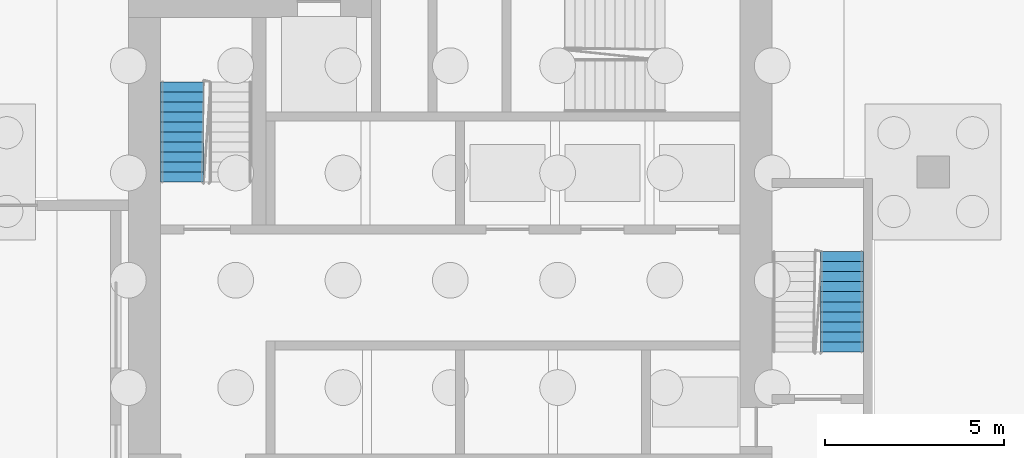
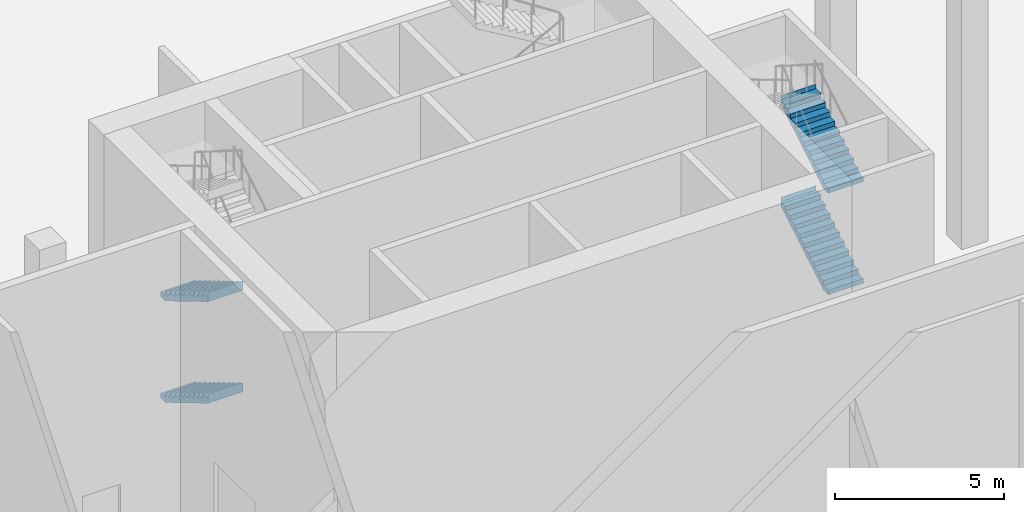
# One storey, part 17 of 26: 4 stair flights, 2 elements without a shape of their own.
"""IFC4 building model written with IfcOpenShell, lengths in metres."""

from ifc_helpers import new_model, si_unit, direction, frame, origin, place, context, subcontext, project, spatial, faceted_brep, material, type_object, element, aggregate, save


model = new_model("IFC4")

# Units and contexts
model_context = context("Model", 3, precision=1e-05, world=origin(), true_north=direction((0.0, 1.0)))
body_context = subcontext(model_context, "Body", "Model", "MODEL_VIEW")
ifc_project = project(units=[si_unit("LENGTHUNIT", "METRE"), si_unit("AREAUNIT", "SQUARE_METRE"), si_unit("VOLUMEUNIT", "CUBIC_METRE"), si_unit("PLANEANGLEUNIT", "RADIAN"), si_unit("MASSUNIT", "GRAM", prefix="KILO")], contexts=[model_context])

# Site, building, storey
site_placement = place(None, origin())
site = spatial("IfcSite", under=ifc_project, at=site_placement, CompositionType="ELEMENT")
building_placement = place(site_placement, origin())
building = spatial("IfcBuilding", under=site, at=building_placement, Name="Kajstack Hotel Tower", CompositionType="ELEMENT")
storey_placement = place(building_placement, origin())
storey = spatial("IfcBuildingStorey", under=building, at=storey_placement, Name="L00", CompositionType="ELEMENT", Elevation=0.0)

# Stair, stair flights
ifc_material = material(Name="Concrete C40/50", Category="concrete")
stair_type = type_object("IfcStairType", Name="Exit stair 1200", PredefinedType="HALF_TURN_STAIR", material=ifc_material)
stair_1_placement = place(storey_placement, origin())
stair_1 = element("IfcStair", 1, at=stair_1_placement, inside=storey, type_object=stair_type, Name="L00 stair E1", PredefinedType="HALF_TURN_STAIR")
stair_flight_type = type_object("IfcStairFlightType", Name="Exit stair flight 1200", PredefinedType="STRAIGHT", material=ifc_material)
stair_flight_1_placement = place(storey_placement, frame((33.449951171875, 5.25, 3.666748046875), z_axis=(0.0, 0.0, 1.0), x_axis=(0.0, 1.0, 0.0)))
stair_flight_1 = element("IfcStairFlight", 2, at=stair_flight_1_placement, type_object=stair_flight_type, Name="E1 flight 3", NumberOfRisers=11, NumberOfTreads=10, PredefinedType="STRAIGHT", RiserHeight=0.166666667, TreadLength=0.28, context=body_context, shape_type="Brep", body=[
    faceted_brep([(0.29345703125, -0.60009765625, 0.0), (2.800537109375, -0.60009765625, 1.4921875), (2.800537109375, -0.60009765625, 1.833251953125), (2.800048828125, -0.60009765625, 1.833251953125), (2.800048828125, -0.60009765625, 1.666748046875), (2.52001953125, -0.60009765625, 1.666748046875), (2.52001953125, -0.60009765625, 1.5), (2.239990234375, -0.60009765625, 1.5), (2.239990234375, -0.60009765625, 1.333251953125), (1.9599609375, -0.60009765625, 1.333251953125), (1.9599609375, -0.60009765625, 1.166748046875), (1.679931640625, -0.60009765625, 1.166748046875), (1.679931640625, -0.60009765625, 1.0), (1.39990234375, -0.60009765625, 1.0), (1.39990234375, -0.60009765625, 0.833251953125), (1.1201171875, -0.60009765625, 0.833251953125), (1.1201171875, -0.60009765625, 0.666748046875), (0.840087890625, -0.60009765625, 0.666748046875), (0.840087890625, -0.60009765625, 0.5), (0.56005859375, -0.60009765625, 0.5), (0.56005859375, -0.60009765625, 0.333251953125), (0.280029296875, -0.60009765625, 0.333251953125), (0.280029296875, -0.60009765625, 0.166748046875), (-0.00048828125, -0.60009765625, 0.166748046875), (-0.00048828125, -0.60009765625, 0.0), (-0.00048828125, 0.60009765625, 0.0), (-0.00048828125, 0.60009765625, 0.166748046875), (0.280029296875, 0.60009765625, 0.166748046875), (0.280029296875, 0.60009765625, 0.333251953125), (0.56005859375, 0.60009765625, 0.333251953125), (0.56005859375, 0.60009765625, 0.5), (0.840087890625, 0.60009765625, 0.5), (0.840087890625, 0.60009765625, 0.666748046875), (1.1201171875, 0.60009765625, 0.666748046875), (1.1201171875, 0.60009765625, 0.833251953125), (1.39990234375, 0.60009765625, 0.833251953125), (1.39990234375, 0.60009765625, 1.0), (1.679931640625, 0.60009765625, 1.0), (1.679931640625, 0.60009765625, 1.166748046875), (1.9599609375, 0.60009765625, 1.166748046875), (1.9599609375, 0.60009765625, 1.333251953125), (2.239990234375, 0.60009765625, 1.333251953125), (2.239990234375, 0.60009765625, 1.5), (2.52001953125, 0.60009765625, 1.5), (2.52001953125, 0.60009765625, 1.666748046875), (2.800048828125, 0.60009765625, 1.666748046875), (2.800048828125, 0.60009765625, 1.833251953125), (2.800537109375, 0.60009765625, 1.833251953125), (2.800537109375, 0.60009765625, 1.4921875), (0.29345703125, 0.60009765625, 0.0), (-0.00048828125, -0.300048828125, 0.166748046875), (-0.00048828125, 0.0, 0.166748046875), (-0.00048828125, 0.300048828125, 0.166748046875), (-0.00048828125, 0.300048828125, 0.0), (-0.00048828125, 0.0, 0.0), (-0.00048828125, -0.300048828125, 0.0), (0.280029296875, -0.300048828125, 0.166748046875), (0.280029296875, 0.0, 0.166748046875), (0.280029296875, 0.300048828125, 0.166748046875), (0.280029296875, -0.300048828125, 0.333251953125), (0.280029296875, 0.0, 0.333251953125), (0.280029296875, 0.300048828125, 0.333251953125), (0.56005859375, -0.300048828125, 0.333251953125), (0.56005859375, 0.0, 0.333251953125), (0.56005859375, 0.300048828125, 0.333251953125), (0.56005859375, -0.300048828125, 0.5), (0.56005859375, 0.0, 0.5), (0.56005859375, 0.300048828125, 0.5), (0.840087890625, -0.300048828125, 0.5), (0.840087890625, 0.0, 0.5), (0.840087890625, 0.300048828125, 0.5), (0.840087890625, -0.300048828125, 0.666748046875), (0.840087890625, 0.0, 0.666748046875), (0.840087890625, 0.300048828125, 0.666748046875), (1.1201171875, -0.300048828125, 0.666748046875), (1.1201171875, 0.0, 0.666748046875), (1.1201171875, 0.300048828125, 0.666748046875), (1.1201171875, -0.300048828125, 0.833251953125), (1.1201171875, 0.0, 0.833251953125), (1.1201171875, 0.300048828125, 0.833251953125), (1.39990234375, -0.300048828125, 0.833251953125), (1.39990234375, 0.0, 0.833251953125), (1.39990234375, 0.300048828125, 0.833251953125), (1.39990234375, -0.300048828125, 1.0), (1.39990234375, 0.0, 1.0), (1.39990234375, 0.300048828125, 1.0), (1.679931640625, -0.300048828125, 1.0), (1.679931640625, 0.0, 1.0), (1.679931640625, 0.300048828125, 1.0), (1.679931640625, -0.300048828125, 1.166748046875), (1.679931640625, 0.0, 1.166748046875), (1.679931640625, 0.300048828125, 1.166748046875), (1.9599609375, -0.300048828125, 1.166748046875), (1.9599609375, 0.0, 1.166748046875), (1.9599609375, 0.300048828125, 1.166748046875), (1.9599609375, -0.300048828125, 1.333251953125), (1.9599609375, 0.0, 1.333251953125), (1.9599609375, 0.300048828125, 1.333251953125), (2.239990234375, -0.300048828125, 1.333251953125), (2.239990234375, 0.0, 1.333251953125), (2.239990234375, 0.300048828125, 1.333251953125), (2.239990234375, -0.300048828125, 1.5), (2.239990234375, 0.0, 1.5), (2.239990234375, 0.300048828125, 1.5), (2.52001953125, -0.300048828125, 1.5), (2.52001953125, 0.0, 1.5), (2.52001953125, 0.300048828125, 1.5), (2.52001953125, -0.300048828125, 1.666748046875), (2.52001953125, 0.0, 1.666748046875), (2.52001953125, 0.300048828125, 1.666748046875), (2.800048828125, -0.300048828125, 1.666748046875), (2.800048828125, 0.0, 1.666748046875), (2.800048828125, 0.300048828125, 1.666748046875), (2.800048828125, -0.300048828125, 1.833251953125), (2.800048828125, 0.0, 1.833251953125), (2.800048828125, 0.300048828125, 1.833251953125), (2.800537109375, -0.300048828125, 1.833251953125), (2.800537109375, 0.0, 1.833251953125), (2.800537109375, 0.300048828125, 1.833251953125), (2.800537109375, -0.300048828125, 1.4921875), (2.800537109375, 0.0, 1.4921875), (2.800537109375, 0.300048828125, 1.4921875), (0.29345703125, -0.300048828125, 0.0), (0.29345703125, 0.0, 0.0), (0.29345703125, 0.300048828125, 0.0)], [[[0, 1, 2, 3, 4, 5, 6, 7, 8, 9, 10, 11, 12, 13, 14, 15, 16, 17, 18, 19, 20, 21, 22, 23, 24]], [[25, 26, 27, 28, 29, 30, 31, 32, 33, 34, 35, 36, 37, 38, 39, 40, 41, 42, 43, 44, 45, 46, 47, 48, 49]], [[23, 50, 51, 52, 26, 25, 53, 54, 55, 24]], [[22, 56, 57, 58, 27, 26, 52, 51, 50, 23]], [[21, 59, 60, 61, 28, 27, 58, 57, 56, 22]], [[20, 62, 63, 64, 29, 28, 61, 60, 59, 21]], [[19, 65, 66, 67, 30, 29, 64, 63, 62, 20]], [[18, 68, 69, 70, 31, 30, 67, 66, 65, 19]], [[17, 71, 72, 73, 32, 31, 70, 69, 68, 18]], [[16, 74, 75, 76, 33, 32, 73, 72, 71, 17]], [[15, 77, 78, 79, 34, 33, 76, 75, 74, 16]], [[14, 80, 81, 82, 35, 34, 79, 78, 77, 15]], [[13, 83, 84, 85, 36, 35, 82, 81, 80, 14]], [[12, 86, 87, 88, 37, 36, 85, 84, 83, 13]], [[11, 89, 90, 91, 38, 37, 88, 87, 86, 12]], [[10, 92, 93, 94, 39, 38, 91, 90, 89, 11]], [[9, 95, 96, 97, 40, 39, 94, 93, 92, 10]], [[8, 98, 99, 100, 41, 40, 97, 96, 95, 9]], [[7, 101, 102, 103, 42, 41, 100, 99, 98, 8]], [[6, 104, 105, 106, 43, 42, 103, 102, 101, 7]], [[5, 107, 108, 109, 44, 43, 106, 105, 104, 6]], [[4, 110, 111, 112, 45, 44, 109, 108, 107, 5]], [[3, 113, 114, 115, 46, 45, 112, 111, 110, 4]], [[2, 116, 117, 118, 47, 46, 115, 114, 113, 3]], [[1, 119, 120, 121, 48, 47, 118, 117, 116, 2]], [[0, 122, 123, 124, 49, 48, 121, 120, 119, 1]], [[24, 55, 54, 53, 25, 49, 124, 123, 122, 0]]]),
])
stair_flight_2_placement = place(storey_placement, frame((33.449951171875, 5.25, 7.333251953125), z_axis=(0.0, 0.0, 1.0), x_axis=(0.0, 1.0, 0.0)))
stair_flight_2 = element("IfcStairFlight", 3, at=stair_flight_2_placement, type_object=stair_flight_type, Name="E1 flight 5", NumberOfRisers=11, NumberOfTreads=10, PredefinedType="STRAIGHT", RiserHeight=0.166666667, TreadLength=0.28, context=body_context, shape_type="Brep", body=[
    faceted_brep([(0.29345703125, -0.60009765625, 0.0), (2.800537109375, -0.60009765625, 1.4921875), (2.800537109375, -0.60009765625, 1.833251953125), (2.800048828125, -0.60009765625, 1.833251953125), (2.800048828125, -0.60009765625, 1.666748046875), (2.52001953125, -0.60009765625, 1.666748046875), (2.52001953125, -0.60009765625, 1.5), (2.239990234375, -0.60009765625, 1.5), (2.239990234375, -0.60009765625, 1.333251953125), (1.9599609375, -0.60009765625, 1.333251953125), (1.9599609375, -0.60009765625, 1.166748046875), (1.679931640625, -0.60009765625, 1.166748046875), (1.679931640625, -0.60009765625, 1.0), (1.39990234375, -0.60009765625, 1.0), (1.39990234375, -0.60009765625, 0.833251953125), (1.1201171875, -0.60009765625, 0.833251953125), (1.1201171875, -0.60009765625, 0.666748046875), (0.840087890625, -0.60009765625, 0.666748046875), (0.840087890625, -0.60009765625, 0.5), (0.56005859375, -0.60009765625, 0.5), (0.56005859375, -0.60009765625, 0.333251953125), (0.280029296875, -0.60009765625, 0.333251953125), (0.280029296875, -0.60009765625, 0.166748046875), (-0.00048828125, -0.60009765625, 0.166748046875), (-0.00048828125, -0.60009765625, 0.0), (-0.00048828125, 0.60009765625, 0.0), (-0.00048828125, 0.60009765625, 0.166748046875), (0.280029296875, 0.60009765625, 0.166748046875), (0.280029296875, 0.60009765625, 0.333251953125), (0.56005859375, 0.60009765625, 0.333251953125), (0.56005859375, 0.60009765625, 0.5), (0.840087890625, 0.60009765625, 0.5), (0.840087890625, 0.60009765625, 0.666748046875), (1.1201171875, 0.60009765625, 0.666748046875), (1.1201171875, 0.60009765625, 0.833251953125), (1.39990234375, 0.60009765625, 0.833251953125), (1.39990234375, 0.60009765625, 1.0), (1.679931640625, 0.60009765625, 1.0), (1.679931640625, 0.60009765625, 1.166748046875), (1.9599609375, 0.60009765625, 1.166748046875), (1.9599609375, 0.60009765625, 1.333251953125), (2.239990234375, 0.60009765625, 1.333251953125), (2.239990234375, 0.60009765625, 1.5), (2.52001953125, 0.60009765625, 1.5), (2.52001953125, 0.60009765625, 1.666748046875), (2.800048828125, 0.60009765625, 1.666748046875), (2.800048828125, 0.60009765625, 1.833251953125), (2.800537109375, 0.60009765625, 1.833251953125), (2.800537109375, 0.60009765625, 1.4921875), (0.29345703125, 0.60009765625, 0.0), (-0.00048828125, -0.300048828125, 0.166748046875), (-0.00048828125, 0.0, 0.166748046875), (-0.00048828125, 0.300048828125, 0.166748046875), (-0.00048828125, 0.300048828125, 0.0), (-0.00048828125, 0.0, 0.0), (-0.00048828125, -0.300048828125, 0.0), (0.280029296875, -0.300048828125, 0.166748046875), (0.280029296875, 0.0, 0.166748046875), (0.280029296875, 0.300048828125, 0.166748046875), (0.280029296875, -0.300048828125, 0.333251953125), (0.280029296875, 0.0, 0.333251953125), (0.280029296875, 0.300048828125, 0.333251953125), (0.56005859375, -0.300048828125, 0.333251953125), (0.56005859375, 0.0, 0.333251953125), (0.56005859375, 0.300048828125, 0.333251953125), (0.56005859375, -0.300048828125, 0.5), (0.56005859375, 0.0, 0.5), (0.56005859375, 0.300048828125, 0.5), (0.840087890625, -0.300048828125, 0.5), (0.840087890625, 0.0, 0.5), (0.840087890625, 0.300048828125, 0.5), (0.840087890625, -0.300048828125, 0.666748046875), (0.840087890625, 0.0, 0.666748046875), (0.840087890625, 0.300048828125, 0.666748046875), (1.1201171875, -0.300048828125, 0.666748046875), (1.1201171875, 0.0, 0.666748046875), (1.1201171875, 0.300048828125, 0.666748046875), (1.1201171875, -0.300048828125, 0.833251953125), (1.1201171875, 0.0, 0.833251953125), (1.1201171875, 0.300048828125, 0.833251953125), (1.39990234375, -0.300048828125, 0.833251953125), (1.39990234375, 0.0, 0.833251953125), (1.39990234375, 0.300048828125, 0.833251953125), (1.39990234375, -0.300048828125, 1.0), (1.39990234375, 0.0, 1.0), (1.39990234375, 0.300048828125, 1.0), (1.679931640625, -0.300048828125, 1.0), (1.679931640625, 0.0, 1.0), (1.679931640625, 0.300048828125, 1.0), (1.679931640625, -0.300048828125, 1.166748046875), (1.679931640625, 0.0, 1.166748046875), (1.679931640625, 0.300048828125, 1.166748046875), (1.9599609375, -0.300048828125, 1.166748046875), (1.9599609375, 0.0, 1.166748046875), (1.9599609375, 0.300048828125, 1.166748046875), (1.9599609375, -0.300048828125, 1.333251953125), (1.9599609375, 0.0, 1.333251953125), (1.9599609375, 0.300048828125, 1.333251953125), (2.239990234375, -0.300048828125, 1.333251953125), (2.239990234375, 0.0, 1.333251953125), (2.239990234375, 0.300048828125, 1.333251953125), (2.239990234375, -0.300048828125, 1.5), (2.239990234375, 0.0, 1.5), (2.239990234375, 0.300048828125, 1.5), (2.52001953125, -0.300048828125, 1.5), (2.52001953125, 0.0, 1.5), (2.52001953125, 0.300048828125, 1.5), (2.52001953125, -0.300048828125, 1.666748046875), (2.52001953125, 0.0, 1.666748046875), (2.52001953125, 0.300048828125, 1.666748046875), (2.800048828125, -0.300048828125, 1.666748046875), (2.800048828125, 0.0, 1.666748046875), (2.800048828125, 0.300048828125, 1.666748046875), (2.800048828125, -0.300048828125, 1.833251953125), (2.800048828125, 0.0, 1.833251953125), (2.800048828125, 0.300048828125, 1.833251953125), (2.800537109375, -0.300048828125, 1.833251953125), (2.800537109375, 0.0, 1.833251953125), (2.800537109375, 0.300048828125, 1.833251953125), (2.800537109375, -0.300048828125, 1.4921875), (2.800537109375, 0.0, 1.4921875), (2.800537109375, 0.300048828125, 1.4921875), (0.29345703125, -0.300048828125, 0.0), (0.29345703125, 0.0, 0.0), (0.29345703125, 0.300048828125, 0.0)], [[[0, 1, 2, 3, 4, 5, 6, 7, 8, 9, 10, 11, 12, 13, 14, 15, 16, 17, 18, 19, 20, 21, 22, 23, 24]], [[25, 26, 27, 28, 29, 30, 31, 32, 33, 34, 35, 36, 37, 38, 39, 40, 41, 42, 43, 44, 45, 46, 47, 48, 49]], [[23, 50, 51, 52, 26, 25, 53, 54, 55, 24]], [[22, 56, 57, 58, 27, 26, 52, 51, 50, 23]], [[21, 59, 60, 61, 28, 27, 58, 57, 56, 22]], [[20, 62, 63, 64, 29, 28, 61, 60, 59, 21]], [[19, 65, 66, 67, 30, 29, 64, 63, 62, 20]], [[18, 68, 69, 70, 31, 30, 67, 66, 65, 19]], [[17, 71, 72, 73, 32, 31, 70, 69, 68, 18]], [[16, 74, 75, 76, 33, 32, 73, 72, 71, 17]], [[15, 77, 78, 79, 34, 33, 76, 75, 74, 16]], [[14, 80, 81, 82, 35, 34, 79, 78, 77, 15]], [[13, 83, 84, 85, 36, 35, 82, 81, 80, 14]], [[12, 86, 87, 88, 37, 36, 85, 84, 83, 13]], [[11, 89, 90, 91, 38, 37, 88, 87, 86, 12]], [[10, 92, 93, 94, 39, 38, 91, 90, 89, 11]], [[9, 95, 96, 97, 40, 39, 94, 93, 92, 10]], [[8, 98, 99, 100, 41, 40, 97, 96, 95, 9]], [[7, 101, 102, 103, 42, 41, 100, 99, 98, 8]], [[6, 104, 105, 106, 43, 42, 103, 102, 101, 7]], [[5, 107, 108, 109, 44, 43, 106, 105, 104, 6]], [[4, 110, 111, 112, 45, 44, 109, 108, 107, 5]], [[3, 113, 114, 115, 46, 45, 112, 111, 110, 4]], [[2, 116, 117, 118, 47, 46, 115, 114, 113, 3]], [[1, 119, 120, 121, 48, 47, 118, 117, 116, 2]], [[0, 122, 123, 124, 49, 48, 121, 120, 119, 1]], [[24, 55, 54, 53, 25, 49, 124, 123, 122, 0]]]),
])
aggregate(stair_1, [stair_flight_1, stair_flight_2])

stair_2_placement = place(storey_placement, origin())
stair_2 = element("IfcStair", 4, at=stair_2_placement, inside=storey, type_object=stair_type, Name="L00 stair E2", PredefinedType="HALF_TURN_STAIR")
stair_flight_3_placement = place(storey_placement, frame((15.0, 12.800048828125, 1.833251953125), z_axis=(0.0, 0.0, 1.0), x_axis=(0.0, -1.0, 0.0)))
stair_flight_3 = element("IfcStairFlight", 5, at=stair_flight_3_placement, type_object=stair_flight_type, Name="E2 flight 2", NumberOfRisers=11, NumberOfTreads=10, PredefinedType="STRAIGHT", RiserHeight=0.166666667, TreadLength=0.28, context=body_context, shape_type="Brep", body=[
    faceted_brep([(0.29345703125, -0.60009765625, 0.0), (2.800537109375, -0.60009765625, 1.4921875), (2.800537109375, -0.60009765625, 1.833251953125), (2.800048828125, -0.60009765625, 1.833251953125), (2.800048828125, -0.60009765625, 1.666748046875), (2.52001953125, -0.60009765625, 1.666748046875), (2.52001953125, -0.60009765625, 1.5), (2.239990234375, -0.60009765625, 1.5), (2.239990234375, -0.60009765625, 1.333251953125), (1.9599609375, -0.60009765625, 1.333251953125), (1.9599609375, -0.60009765625, 1.166748046875), (1.679931640625, -0.60009765625, 1.166748046875), (1.679931640625, -0.60009765625, 1.0), (1.39990234375, -0.60009765625, 1.0), (1.39990234375, -0.60009765625, 0.833251953125), (1.1201171875, -0.60009765625, 0.833251953125), (1.1201171875, -0.60009765625, 0.666748046875), (0.840087890625, -0.60009765625, 0.666748046875), (0.840087890625, -0.60009765625, 0.5), (0.56005859375, -0.60009765625, 0.5), (0.56005859375, -0.60009765625, 0.333251953125), (0.280029296875, -0.60009765625, 0.333251953125), (0.280029296875, -0.60009765625, 0.166748046875), (-0.00048828125, -0.60009765625, 0.166748046875), (-0.00048828125, -0.60009765625, 0.0), (-0.00048828125, 0.60009765625, 0.0), (-0.00048828125, 0.60009765625, 0.166748046875), (0.280029296875, 0.60009765625, 0.166748046875), (0.280029296875, 0.60009765625, 0.333251953125), (0.56005859375, 0.60009765625, 0.333251953125), (0.56005859375, 0.60009765625, 0.5), (0.840087890625, 0.60009765625, 0.5), (0.840087890625, 0.60009765625, 0.666748046875), (1.1201171875, 0.60009765625, 0.666748046875), (1.1201171875, 0.60009765625, 0.833251953125), (1.39990234375, 0.60009765625, 0.833251953125), (1.39990234375, 0.60009765625, 1.0), (1.679931640625, 0.60009765625, 1.0), (1.679931640625, 0.60009765625, 1.166748046875), (1.9599609375, 0.60009765625, 1.166748046875), (1.9599609375, 0.60009765625, 1.333251953125), (2.239990234375, 0.60009765625, 1.333251953125), (2.239990234375, 0.60009765625, 1.5), (2.52001953125, 0.60009765625, 1.5), (2.52001953125, 0.60009765625, 1.666748046875), (2.800048828125, 0.60009765625, 1.666748046875), (2.800048828125, 0.60009765625, 1.833251953125), (2.800537109375, 0.60009765625, 1.833251953125), (2.800537109375, 0.60009765625, 1.4921875), (0.29345703125, 0.60009765625, 0.0), (-0.00048828125, -0.300048828125, 0.166748046875), (-0.00048828125, 0.0, 0.166748046875), (-0.00048828125, 0.300048828125, 0.166748046875), (-0.00048828125, 0.300048828125, 0.0), (-0.00048828125, 0.0, 0.0), (-0.00048828125, -0.300048828125, 0.0), (0.280029296875, -0.300048828125, 0.166748046875), (0.280029296875, 0.0, 0.166748046875), (0.280029296875, 0.300048828125, 0.166748046875), (0.280029296875, -0.300048828125, 0.333251953125), (0.280029296875, 0.0, 0.333251953125), (0.280029296875, 0.300048828125, 0.333251953125), (0.56005859375, -0.300048828125, 0.333251953125), (0.56005859375, 0.0, 0.333251953125), (0.56005859375, 0.300048828125, 0.333251953125), (0.56005859375, -0.300048828125, 0.5), (0.56005859375, 0.0, 0.5), (0.56005859375, 0.300048828125, 0.5), (0.840087890625, -0.300048828125, 0.5), (0.840087890625, 0.0, 0.5), (0.840087890625, 0.300048828125, 0.5), (0.840087890625, -0.300048828125, 0.666748046875), (0.840087890625, 0.0, 0.666748046875), (0.840087890625, 0.300048828125, 0.666748046875), (1.1201171875, -0.300048828125, 0.666748046875), (1.1201171875, 0.0, 0.666748046875), (1.1201171875, 0.300048828125, 0.666748046875), (1.1201171875, -0.300048828125, 0.833251953125), (1.1201171875, 0.0, 0.833251953125), (1.1201171875, 0.300048828125, 0.833251953125), (1.39990234375, -0.300048828125, 0.833251953125), (1.39990234375, 0.0, 0.833251953125), (1.39990234375, 0.300048828125, 0.833251953125), (1.39990234375, -0.300048828125, 1.0), (1.39990234375, 0.0, 1.0), (1.39990234375, 0.300048828125, 1.0), (1.679931640625, -0.300048828125, 1.0), (1.679931640625, 0.0, 1.0), (1.679931640625, 0.300048828125, 1.0), (1.679931640625, -0.300048828125, 1.166748046875), (1.679931640625, 0.0, 1.166748046875), (1.679931640625, 0.300048828125, 1.166748046875), (1.9599609375, -0.300048828125, 1.166748046875), (1.9599609375, 0.0, 1.166748046875), (1.9599609375, 0.300048828125, 1.166748046875), (1.9599609375, -0.300048828125, 1.333251953125), (1.9599609375, 0.0, 1.333251953125), (1.9599609375, 0.300048828125, 1.333251953125), (2.239990234375, -0.300048828125, 1.333251953125), (2.239990234375, 0.0, 1.333251953125), (2.239990234375, 0.300048828125, 1.333251953125), (2.239990234375, -0.300048828125, 1.5), (2.239990234375, 0.0, 1.5), (2.239990234375, 0.300048828125, 1.5), (2.52001953125, -0.300048828125, 1.5), (2.52001953125, 0.0, 1.5), (2.52001953125, 0.300048828125, 1.5), (2.52001953125, -0.300048828125, 1.666748046875), (2.52001953125, 0.0, 1.666748046875), (2.52001953125, 0.300048828125, 1.666748046875), (2.800048828125, -0.300048828125, 1.666748046875), (2.800048828125, 0.0, 1.666748046875), (2.800048828125, 0.300048828125, 1.666748046875), (2.800048828125, -0.300048828125, 1.833251953125), (2.800048828125, 0.0, 1.833251953125), (2.800048828125, 0.300048828125, 1.833251953125), (2.800537109375, -0.300048828125, 1.833251953125), (2.800537109375, 0.0, 1.833251953125), (2.800537109375, 0.300048828125, 1.833251953125), (2.800537109375, -0.300048828125, 1.4921875), (2.800537109375, 0.0, 1.4921875), (2.800537109375, 0.300048828125, 1.4921875), (0.29345703125, -0.300048828125, 0.0), (0.29345703125, 0.0, 0.0), (0.29345703125, 0.300048828125, 0.0)], [[[0, 1, 2, 3, 4, 5, 6, 7, 8, 9, 10, 11, 12, 13, 14, 15, 16, 17, 18, 19, 20, 21, 22, 23, 24]], [[25, 26, 27, 28, 29, 30, 31, 32, 33, 34, 35, 36, 37, 38, 39, 40, 41, 42, 43, 44, 45, 46, 47, 48, 49]], [[23, 50, 51, 52, 26, 25, 53, 54, 55, 24]], [[22, 56, 57, 58, 27, 26, 52, 51, 50, 23]], [[21, 59, 60, 61, 28, 27, 58, 57, 56, 22]], [[20, 62, 63, 64, 29, 28, 61, 60, 59, 21]], [[19, 65, 66, 67, 30, 29, 64, 63, 62, 20]], [[18, 68, 69, 70, 31, 30, 67, 66, 65, 19]], [[17, 71, 72, 73, 32, 31, 70, 69, 68, 18]], [[16, 74, 75, 76, 33, 32, 73, 72, 71, 17]], [[15, 77, 78, 79, 34, 33, 76, 75, 74, 16]], [[14, 80, 81, 82, 35, 34, 79, 78, 77, 15]], [[13, 83, 84, 85, 36, 35, 82, 81, 80, 14]], [[12, 86, 87, 88, 37, 36, 85, 84, 83, 13]], [[11, 89, 90, 91, 38, 37, 88, 87, 86, 12]], [[10, 92, 93, 94, 39, 38, 91, 90, 89, 11]], [[9, 95, 96, 97, 40, 39, 94, 93, 92, 10]], [[8, 98, 99, 100, 41, 40, 97, 96, 95, 9]], [[7, 101, 102, 103, 42, 41, 100, 99, 98, 8]], [[6, 104, 105, 106, 43, 42, 103, 102, 101, 7]], [[5, 107, 108, 109, 44, 43, 106, 105, 104, 6]], [[4, 110, 111, 112, 45, 44, 109, 108, 107, 5]], [[3, 113, 114, 115, 46, 45, 112, 111, 110, 4]], [[2, 116, 117, 118, 47, 46, 115, 114, 113, 3]], [[1, 119, 120, 121, 48, 47, 118, 117, 116, 2]], [[0, 122, 123, 124, 49, 48, 121, 120, 119, 1]], [[24, 55, 54, 53, 25, 49, 124, 123, 122, 0]]]),
])
stair_flight_4_placement = place(storey_placement, frame((15.0, 12.800048828125, 5.5), z_axis=(0.0, 0.0, 1.0), x_axis=(0.0, -1.0, 0.0)))
stair_flight_4 = element("IfcStairFlight", 6, at=stair_flight_4_placement, type_object=stair_flight_type, Name="E2 flight 4", NumberOfRisers=11, NumberOfTreads=10, PredefinedType="STRAIGHT", RiserHeight=0.166666667, TreadLength=0.28, context=body_context, shape_type="Brep", body=[
    faceted_brep([(0.29345703125, -0.60009765625, 0.0), (2.800537109375, -0.60009765625, 1.4921875), (2.800537109375, -0.60009765625, 1.833251953125), (2.800048828125, -0.60009765625, 1.833251953125), (2.800048828125, -0.60009765625, 1.666748046875), (2.52001953125, -0.60009765625, 1.666748046875), (2.52001953125, -0.60009765625, 1.5), (2.239990234375, -0.60009765625, 1.5), (2.239990234375, -0.60009765625, 1.333251953125), (1.9599609375, -0.60009765625, 1.333251953125), (1.9599609375, -0.60009765625, 1.166748046875), (1.679931640625, -0.60009765625, 1.166748046875), (1.679931640625, -0.60009765625, 1.0), (1.39990234375, -0.60009765625, 1.0), (1.39990234375, -0.60009765625, 0.833251953125), (1.1201171875, -0.60009765625, 0.833251953125), (1.1201171875, -0.60009765625, 0.666748046875), (0.840087890625, -0.60009765625, 0.666748046875), (0.840087890625, -0.60009765625, 0.5), (0.56005859375, -0.60009765625, 0.5), (0.56005859375, -0.60009765625, 0.333251953125), (0.280029296875, -0.60009765625, 0.333251953125), (0.280029296875, -0.60009765625, 0.166748046875), (-0.00048828125, -0.60009765625, 0.166748046875), (-0.00048828125, -0.60009765625, 0.0), (-0.00048828125, 0.60009765625, 0.0), (-0.00048828125, 0.60009765625, 0.166748046875), (0.280029296875, 0.60009765625, 0.166748046875), (0.280029296875, 0.60009765625, 0.333251953125), (0.56005859375, 0.60009765625, 0.333251953125), (0.56005859375, 0.60009765625, 0.5), (0.840087890625, 0.60009765625, 0.5), (0.840087890625, 0.60009765625, 0.666748046875), (1.1201171875, 0.60009765625, 0.666748046875), (1.1201171875, 0.60009765625, 0.833251953125), (1.39990234375, 0.60009765625, 0.833251953125), (1.39990234375, 0.60009765625, 1.0), (1.679931640625, 0.60009765625, 1.0), (1.679931640625, 0.60009765625, 1.166748046875), (1.9599609375, 0.60009765625, 1.166748046875), (1.9599609375, 0.60009765625, 1.333251953125), (2.239990234375, 0.60009765625, 1.333251953125), (2.239990234375, 0.60009765625, 1.5), (2.52001953125, 0.60009765625, 1.5), (2.52001953125, 0.60009765625, 1.666748046875), (2.800048828125, 0.60009765625, 1.666748046875), (2.800048828125, 0.60009765625, 1.833251953125), (2.800537109375, 0.60009765625, 1.833251953125), (2.800537109375, 0.60009765625, 1.4921875), (0.29345703125, 0.60009765625, 0.0), (-0.00048828125, -0.300048828125, 0.166748046875), (-0.00048828125, 0.0, 0.166748046875), (-0.00048828125, 0.300048828125, 0.166748046875), (-0.00048828125, 0.300048828125, 0.0), (-0.00048828125, 0.0, 0.0), (-0.00048828125, -0.300048828125, 0.0), (0.280029296875, -0.300048828125, 0.166748046875), (0.280029296875, 0.0, 0.166748046875), (0.280029296875, 0.300048828125, 0.166748046875), (0.280029296875, -0.300048828125, 0.333251953125), (0.280029296875, 0.0, 0.333251953125), (0.280029296875, 0.300048828125, 0.333251953125), (0.56005859375, -0.300048828125, 0.333251953125), (0.56005859375, 0.0, 0.333251953125), (0.56005859375, 0.300048828125, 0.333251953125), (0.56005859375, -0.300048828125, 0.5), (0.56005859375, 0.0, 0.5), (0.56005859375, 0.300048828125, 0.5), (0.840087890625, -0.300048828125, 0.5), (0.840087890625, 0.0, 0.5), (0.840087890625, 0.300048828125, 0.5), (0.840087890625, -0.300048828125, 0.666748046875), (0.840087890625, 0.0, 0.666748046875), (0.840087890625, 0.300048828125, 0.666748046875), (1.1201171875, -0.300048828125, 0.666748046875), (1.1201171875, 0.0, 0.666748046875), (1.1201171875, 0.300048828125, 0.666748046875), (1.1201171875, -0.300048828125, 0.833251953125), (1.1201171875, 0.0, 0.833251953125), (1.1201171875, 0.300048828125, 0.833251953125), (1.39990234375, -0.300048828125, 0.833251953125), (1.39990234375, 0.0, 0.833251953125), (1.39990234375, 0.300048828125, 0.833251953125), (1.39990234375, -0.300048828125, 1.0), (1.39990234375, 0.0, 1.0), (1.39990234375, 0.300048828125, 1.0), (1.679931640625, -0.300048828125, 1.0), (1.679931640625, 0.0, 1.0), (1.679931640625, 0.300048828125, 1.0), (1.679931640625, -0.300048828125, 1.166748046875), (1.679931640625, 0.0, 1.166748046875), (1.679931640625, 0.300048828125, 1.166748046875), (1.9599609375, -0.300048828125, 1.166748046875), (1.9599609375, 0.0, 1.166748046875), (1.9599609375, 0.300048828125, 1.166748046875), (1.9599609375, -0.300048828125, 1.333251953125), (1.9599609375, 0.0, 1.333251953125), (1.9599609375, 0.300048828125, 1.333251953125), (2.239990234375, -0.300048828125, 1.333251953125), (2.239990234375, 0.0, 1.333251953125), (2.239990234375, 0.300048828125, 1.333251953125), (2.239990234375, -0.300048828125, 1.5), (2.239990234375, 0.0, 1.5), (2.239990234375, 0.300048828125, 1.5), (2.52001953125, -0.300048828125, 1.5), (2.52001953125, 0.0, 1.5), (2.52001953125, 0.300048828125, 1.5), (2.52001953125, -0.300048828125, 1.666748046875), (2.52001953125, 0.0, 1.666748046875), (2.52001953125, 0.300048828125, 1.666748046875), (2.800048828125, -0.300048828125, 1.666748046875), (2.800048828125, 0.0, 1.666748046875), (2.800048828125, 0.300048828125, 1.666748046875), (2.800048828125, -0.300048828125, 1.833251953125), (2.800048828125, 0.0, 1.833251953125), (2.800048828125, 0.300048828125, 1.833251953125), (2.800537109375, -0.300048828125, 1.833251953125), (2.800537109375, 0.0, 1.833251953125), (2.800537109375, 0.300048828125, 1.833251953125), (2.800537109375, -0.300048828125, 1.4921875), (2.800537109375, 0.0, 1.4921875), (2.800537109375, 0.300048828125, 1.4921875), (0.29345703125, -0.300048828125, 0.0), (0.29345703125, 0.0, 0.0), (0.29345703125, 0.300048828125, 0.0)], [[[0, 1, 2, 3, 4, 5, 6, 7, 8, 9, 10, 11, 12, 13, 14, 15, 16, 17, 18, 19, 20, 21, 22, 23, 24]], [[25, 26, 27, 28, 29, 30, 31, 32, 33, 34, 35, 36, 37, 38, 39, 40, 41, 42, 43, 44, 45, 46, 47, 48, 49]], [[23, 50, 51, 52, 26, 25, 53, 54, 55, 24]], [[22, 56, 57, 58, 27, 26, 52, 51, 50, 23]], [[21, 59, 60, 61, 28, 27, 58, 57, 56, 22]], [[20, 62, 63, 64, 29, 28, 61, 60, 59, 21]], [[19, 65, 66, 67, 30, 29, 64, 63, 62, 20]], [[18, 68, 69, 70, 31, 30, 67, 66, 65, 19]], [[17, 71, 72, 73, 32, 31, 70, 69, 68, 18]], [[16, 74, 75, 76, 33, 32, 73, 72, 71, 17]], [[15, 77, 78, 79, 34, 33, 76, 75, 74, 16]], [[14, 80, 81, 82, 35, 34, 79, 78, 77, 15]], [[13, 83, 84, 85, 36, 35, 82, 81, 80, 14]], [[12, 86, 87, 88, 37, 36, 85, 84, 83, 13]], [[11, 89, 90, 91, 38, 37, 88, 87, 86, 12]], [[10, 92, 93, 94, 39, 38, 91, 90, 89, 11]], [[9, 95, 96, 97, 40, 39, 94, 93, 92, 10]], [[8, 98, 99, 100, 41, 40, 97, 96, 95, 9]], [[7, 101, 102, 103, 42, 41, 100, 99, 98, 8]], [[6, 104, 105, 106, 43, 42, 103, 102, 101, 7]], [[5, 107, 108, 109, 44, 43, 106, 105, 104, 6]], [[4, 110, 111, 112, 45, 44, 109, 108, 107, 5]], [[3, 113, 114, 115, 46, 45, 112, 111, 110, 4]], [[2, 116, 117, 118, 47, 46, 115, 114, 113, 3]], [[1, 119, 120, 121, 48, 47, 118, 117, 116, 2]], [[0, 122, 123, 124, 49, 48, 121, 120, 119, 1]], [[24, 55, 54, 53, 25, 49, 124, 123, 122, 0]]]),
])
aggregate(stair_2, [stair_flight_3, stair_flight_4])

save(model, "model.ifc")
